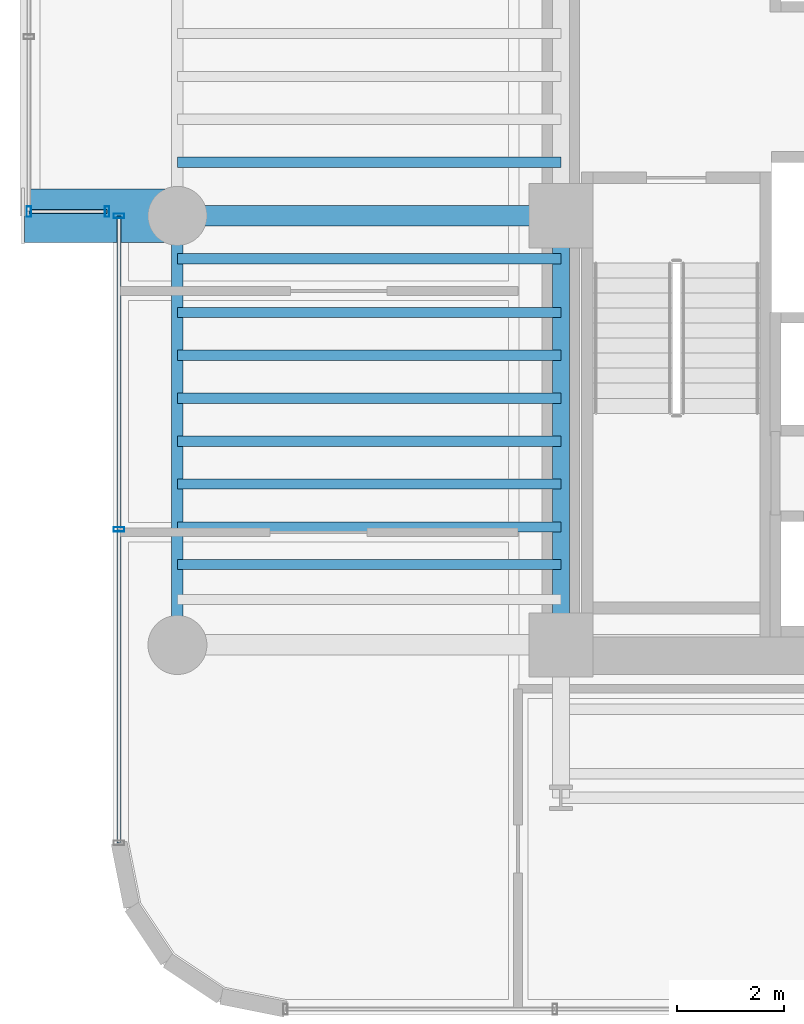
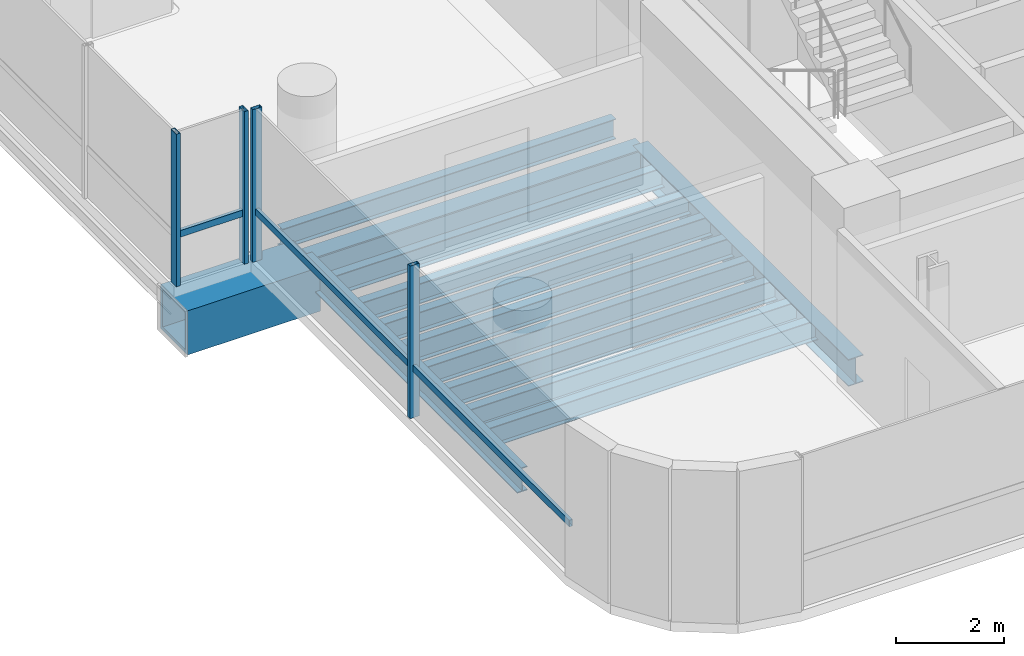
# One storey, part 4 of 34: 13 beams, 6 members, 2 elements without a shape of their own.
"""IFC4 building model written with IfcOpenShell, lengths in metres."""

from ifc_helpers import new_model, si_unit, direction, frame, origin, origin_2d, place, context, subcontext, project, spatial, hollow_rectangle, i_section, extrude, source, transform, mapped, material, material_profile, profile_set, type_object, element, aggregate, save


model = new_model("IFC4")

# Units and contexts
model_context = context("Model", 3, precision=1e-05, world=origin(), true_north=direction((0.0, 1.0)))
body_context = subcontext(model_context, "Body", "Model", "MODEL_VIEW")
ifc_project = project(units=[si_unit("LENGTHUNIT", "METRE"), si_unit("AREAUNIT", "SQUARE_METRE"), si_unit("VOLUMEUNIT", "CUBIC_METRE"), si_unit("PLANEANGLEUNIT", "RADIAN"), si_unit("MASSUNIT", "GRAM", prefix="KILO")], contexts=[model_context])

# Site, building, storey
site_placement = place(None, origin())
site = spatial("IfcSite", under=ifc_project, at=site_placement, CompositionType="ELEMENT")
building_placement = place(site_placement, origin())
building = spatial("IfcBuilding", under=site, at=building_placement, Name="Valdorenza Pilgrim Sanctuary Tower", CompositionType="ELEMENT")
storey_placement = place(building_placement, frame((0.0, 0.0, 146.39990234375)))
storey = spatial("IfcBuildingStorey", under=building, at=storey_placement, Name="L37", CompositionType="ELEMENT", Elevation=146.39990234375)

# Beams
ifc_material_1 = material(Name="Steel ASTM A992 Grade 50", Category="steel")
ifc_material_profile_1 = material_profile(ifc_material_1, i_section(OverallWidth=0.214111328125, OverallDepth=0.549072265625, WebThickness=0.0146484375, FlangeThickness=0.023681640625, at=origin_2d()), Name="W21X93")
ifc_profile_set_1 = profile_set([ifc_material_profile_1], Name="Steel ASTM A992 Grade 50")
beam_type_1 = type_object("IfcBeamType", Name="STR-BM-SPN-W21A", PredefinedType="SPANDREL", material=ifc_profile_set_1)
shared_shape_1 = source(origin(), body_context, "Body", "SweptSolid", [
    extrude(i_section(OverallWidth=0.214111328125, OverallDepth=0.549072265625, WebThickness=0.0146484375, FlangeThickness=0.023681640625, at=origin_2d()), origin(), (0.0, 0.0, 1.0), 8.0),
])
beam_1_placement = place(storey_placement, frame((-29.800048828125, -10.60009765625, -0.514404296875), z_axis=(0.0, 1.0, 0.0), x_axis=(-1.0, 0.0, 0.0)))
element("IfcBeam", 1, at=beam_1_placement, inside=storey, type_object=beam_type_1, Name="L37 Spandrel Beam WA-W-S1M0", PredefinedType="SPANDREL", context=body_context, shape_type="MappedRepresentation", body=[
    mapped(shared_shape_1, transform((0.0, 0.0, 0.0), x_axis=(1.0, 0.0, 0.0), y_axis=(0.0, 1.0, 0.0), z_axis=(0.0, 0.0, 1.0), scale=1.0)),
])
ifc_material_profile_2 = material_profile(ifc_material_1, i_section(OverallWidth=0.323974609375, OverallDepth=0.611083984375, WebThickness=0.0126953125, FlangeThickness=0.01904296875, at=origin_2d()), Name="W24X104")
ifc_profile_set_2 = profile_set([ifc_material_profile_2], Name="Steel ASTM A992 Grade 50")
beam_type_2 = type_object("IfcBeamType", Name="STR-BM-GRD-W24B", PredefinedType="BEAM", material=ifc_profile_set_2)
shared_shape_2 = source(origin(), body_context, "Body", "SweptSolid", [
    extrude(i_section(OverallWidth=0.323974609375, OverallDepth=0.611083984375, WebThickness=0.0126953125, FlangeThickness=0.01904296875, at=origin_2d()), origin(), (0.0, 0.0, 1.0), 8.0),
])
beam_2_placement = place(storey_placement, frame((-22.64990234375, -10.60009765625, -0.54541015625), z_axis=(0.0, 1.0, 0.0), x_axis=(-1.0, 0.0, 0.0)))
element("IfcBeam", 2, at=beam_2_placement, inside=storey, type_object=beam_type_2, Name="L37 Core Tie Girder CA-W-S1M0", PredefinedType="BEAM", context=body_context, shape_type="MappedRepresentation", body=[
    mapped(shared_shape_2, transform((0.0, 0.0, 0.0), x_axis=(1.0, 0.0, 0.0), y_axis=(0.0, 1.0, 0.0), z_axis=(0.0, 0.0, 1.0), scale=1.0)),
])
ifc_material_profile_3 = material_profile(ifc_material_1, i_section(OverallWidth=0.382080078125, OverallDepth=0.779052734375, WebThickness=0.01806640625, FlangeThickness=0.030029296875, at=origin_2d()), Name="W30X191")
ifc_profile_set_3 = profile_set([ifc_material_profile_3], Name="Steel ASTM A992 Grade 50")
beam_type_3 = type_object("IfcBeamType", Name="STR-BM-GRD-W30", PredefinedType="BEAM", material=ifc_profile_set_3)
shared_shape_3 = source(origin(), body_context, "Body", "SweptSolid", [
    extrude(i_section(OverallWidth=0.382080078125, OverallDepth=0.779052734375, WebThickness=0.01806640625, FlangeThickness=0.030029296875, at=origin_2d()), origin(), (0.0, 0.0, 1.0), 7.150146484375),
])
beam_3_placement = place(storey_placement, frame((-29.800048828125, -2.60009765625, -0.62939453125), z_axis=(1.0, 0.0, 0.0), x_axis=(0.0, 1.0, 0.0)))
element("IfcBeam", 3, at=beam_3_placement, inside=storey, type_object=beam_type_3, Name="L37 Floor Girder WA-XW-M0", PredefinedType="BEAM", context=body_context, shape_type="MappedRepresentation", body=[
    mapped(shared_shape_3, transform((0.0, 0.0, 0.0), x_axis=(1.0, 0.0, 0.0), y_axis=(0.0, 1.0, 0.0), z_axis=(0.0, 0.0, 1.0), scale=1.0)),
])
ifc_material_profile_4 = material_profile(ifc_material_1, i_section(OverallWidth=0.19091796875, OverallDepth=0.45703125, WebThickness=0.009033203125, FlangeThickness=0.014404296875, at=origin_2d()), Name="W18X50")
ifc_profile_set_4 = profile_set([ifc_material_profile_4], Name="Steel ASTM A992 Grade 50")
beam_type_4 = type_object("IfcBeamType", Name="STR-BM-JST-W18B", PredefinedType="JOIST", material=ifc_profile_set_4)
shared_shape_4 = source(origin(), body_context, "Body", "SweptSolid", [
    extrude(i_section(OverallWidth=0.19091796875, OverallDepth=0.45703125, WebThickness=0.009033203125, FlangeThickness=0.014404296875, at=origin_2d()), origin(), (0.0, 0.0, 1.0), 7.150146484375),
])
for number, where, z_axis, x_axis, name in (
    (4, (-29.800048828125, -9.10009765625, -0.468505859375), (1.0, 0.0, 0.0), (0.0, 1.0, 0.0), "L37 Composite Floor Joist JST-WA-2"),
    (5, (-29.800048828125, -8.39990234375, -0.468505859375), (1.0, 0.0, 0.0), (0.0, 1.0, 0.0), "L37 Composite Floor Joist JST-WA-3"),
    (6, (-29.800048828125, -7.60009765625, -0.468505859375), (1.0, 0.0, 0.0), (0.0, 1.0, 0.0), "L37 Composite Floor Joist JST-WA-4"),
    (7, (-29.800048828125, -6.800048828125, -0.468505859375), (1.0, 0.0, 0.0), (0.0, 1.0, 0.0), "L37 Composite Floor Joist JST-WA-5"),
    (8, (-29.800048828125, -6.0, -0.468505859375), (1.0, 0.0, 0.0), (0.0, 1.0, 0.0), "L37 Composite Floor Joist JST-WA-6"),
    (9, (-29.800048828125, -5.199951171875, -0.468505859375), (1.0, 0.0, 0.0), (0.0, 1.0, 0.0), "L37 Composite Floor Joist JST-WA-7"),
    (10, (-29.800048828125, -4.39990234375, -0.468505859375), (1.0, 0.0, 0.0), (0.0, 1.0, 0.0), "L37 Composite Floor Joist JST-WA-8"),
    (11, (-29.800048828125, -3.39990234375, -0.468505859375), (1.0, 0.0, 0.0), (0.0, 1.0, 0.0), "L37 Composite Floor Joist JST-WA-9"),
    (12, (-29.800048828125, -1.60009765625, -0.468505859375), (1.0, 0.0, 0.0), (0.0, 1.0, 0.0), "L37 Composite Floor Joist JST-WA-10"),
):
    element("IfcBeam", number, at=place(storey_placement, frame(where, z_axis=z_axis, x_axis=x_axis)), inside=storey, type_object=beam_type_4, Name=name, PredefinedType="JOIST", context=body_context, shape_type="MappedRepresentation", body=[
        mapped(shared_shape_4, transform((0.0, 0.0, 0.0), x_axis=(1.0, 0.0, 0.0), y_axis=(0.0, 1.0, 0.0), z_axis=(0.0, 0.0, 1.0), scale=1.0)),
    ])
ifc_material_2 = material(Name="Steel ASTM A572 Grade 42", Category="steel")
ifc_material_profile_5 = material_profile(ifc_material_2, hollow_rectangle(XDim=1.0, YDim=1.0, WallThickness=0.080078125, at=origin_2d()), Name="BOX 1000x1000x80")
ifc_profile_set_5 = profile_set([ifc_material_profile_5], Name="Steel ASTM A572 Grade 42")
beam_type_5 = type_object("IfcBeamType", Name="STR-BM-PROW-CANT", PredefinedType="BEAM", material=ifc_profile_set_5)
shared_shape_5 = source(origin(), body_context, "Body", "SweptSolid", [
    extrude(hollow_rectangle(XDim=1.0, YDim=1.0, WallThickness=0.080078125, at=origin_2d()), origin(), (0.0, 0.0, 1.0), 2.849853515625),
])
beam_4_placement = place(storey_placement, frame((-29.800048828125, -2.60009765625, -0.739990234375), z_axis=(-1.0, 0.0, 0.0), x_axis=(0.0, -1.0, 0.0)))
element("IfcBeam", 13, at=beam_4_placement, inside=storey, type_object=beam_type_5, Name="L37 Glass Box Cantilever Beam BOX-WA-L37-CT-S", PredefinedType="BEAM", context=body_context, shape_type="MappedRepresentation", body=[
    mapped(shared_shape_5, transform((0.0, 0.0, 0.0), x_axis=(1.0, 0.0, 0.0), y_axis=(0.0, 1.0, 0.0), z_axis=(0.0, 0.0, 1.0), scale=1.0)),
])

# Curtain wall, member
ifc_material_3 = material(Name="Curtain-wall IGU glazing", Category="glass")
curtain_wall_type = type_object("IfcCurtainWallType", Name="CW-SYS-02", PredefinedType="NOTDEFINED", material=ifc_material_3)
curtain_wall_1_placement = place(storey_placement, origin())
curtain_wall_1 = element("IfcCurtainWall", 14, at=curtain_wall_1_placement, inside=storey, type_object=curtain_wall_type, Name="L37 Curtain Wall CW-L37-BOX-WA-L37-S", PredefinedType="NOTDEFINED")
ifc_material_4 = material(Name="Anodised aluminium AW-6060", Category="aluminium")
ifc_material_profile_6 = material_profile(ifc_material_4, hollow_rectangle(XDim=0.074951171875, YDim=0.14990234375, WallThickness=0.00390625, at=origin_2d()), Name="ALU-T 150x75x4")
ifc_profile_set_6 = profile_set([ifc_material_profile_6], Name="Anodised aluminium AW-6060")
member_type_1 = type_object("IfcMemberType", Name="CW-TRN-02", PredefinedType="USERDEFINED", material=ifc_profile_set_6)
shared_shape_6 = source(origin(), body_context, "Body", "SweptSolid", [
    extrude(hollow_rectangle(XDim=0.074951171875, YDim=0.14990234375, WallThickness=0.00390625, at=origin_2d()), origin(), (0.0, 0.0, 1.0), 1.4599609375),
])
member_1_placement = place(storey_placement, frame((-31.110107421875, -2.52001953125, 1.1201171875), z_axis=(-1.0, 0.0, 0.0), x_axis=(0.0, -1.0, 0.0)))
member_1 = element("IfcMember", 15, at=member_1_placement, type_object=member_type_1, Name="CW-L37-BOX-WA-L37-S Transom 1", ObjectType="TRANSOM", PredefinedType="USERDEFINED", context=body_context, shape_type="MappedRepresentation", body=[
    mapped(shared_shape_6, transform((0.0, 0.0, 0.0), x_axis=(1.0, 0.0, 0.0), y_axis=(0.0, 1.0, 0.0), z_axis=(0.0, 0.0, 1.0), scale=1.0)),
])

# Curtain wall, members
curtain_wall_2_placement = place(storey_placement, origin())
curtain_wall_2 = element("IfcCurtainWall", 16, at=curtain_wall_2_placement, inside=storey, type_object=curtain_wall_type, Name="L37 Curtain Wall CW-L37-1-1S1", PredefinedType="NOTDEFINED")
ifc_material_profile_7 = material_profile(ifc_material_4, hollow_rectangle(XDim=0.0849609375, YDim=0.199951171875, WallThickness=0.0048828125, at=origin_2d()), Name="ALU-M 200x85x5")
ifc_profile_set_7 = profile_set([ifc_material_profile_7], Name="Anodised aluminium AW-6060")
member_type_2 = type_object("IfcMemberType", Name="CW-MUL-02", PredefinedType="MULLION", material=ifc_profile_set_7)
shared_shape_7 = source(origin(), body_context, "Body", "SweptSolid", [
    extrude(hollow_rectangle(XDim=0.0849609375, YDim=0.199951171875, WallThickness=0.0048828125, at=origin_2d()), origin(), (0.0, 0.0, 1.0), 3.460205078125),
])
member_2_placement = place(storey_placement, frame((-30.889892578125, -8.444580078125, 0.0), z_axis=(0.0, 0.0, 1.0), x_axis=(0.0, 1.0, 0.0)))
member_2 = element("IfcMember", 17, at=member_2_placement, type_object=member_type_2, Name="CW-L37-1-1S1 Mullion 2", PredefinedType="MULLION", context=body_context, shape_type="MappedRepresentation", body=[
    mapped(shared_shape_7, transform((0.0, 0.0, 0.0), x_axis=(1.0, 0.0, 0.0), y_axis=(0.0, 1.0, 0.0), z_axis=(0.0, 0.0, 1.0), scale=1.0)),
])
member_3_placement = place(storey_placement, frame((-30.889892578125, -2.60009765625, 0.0), z_axis=(0.0, 0.0, 1.0), x_axis=(0.0, 1.0, 0.0)))
member_3 = element("IfcMember", 18, at=member_3_placement, type_object=member_type_2, Name="CW-L37-1-1S1 Mullion 3", PredefinedType="MULLION", context=body_context, shape_type="MappedRepresentation", body=[
    mapped(shared_shape_7, transform((0.0, 0.0, 0.0), x_axis=(1.0, 0.0, 0.0), y_axis=(0.0, 1.0, 0.0), z_axis=(0.0, 0.0, 1.0), scale=1.0)),
])

# Member
member_4_placement = place(storey_placement, frame((-31.110107421875, -2.52001953125, 0.0), z_axis=(0.0, 0.0, 1.0), x_axis=(-1.0, 0.0, 0.0)))
member_4 = element("IfcMember", 19, at=member_4_placement, type_object=member_type_2, Name="CW-L37-BOX-WA-L37-S Mullion 1", PredefinedType="MULLION", context=body_context, shape_type="MappedRepresentation", body=[
    mapped(shared_shape_7, transform((0.0, 0.0, 0.0), x_axis=(1.0, 0.0, 0.0), y_axis=(0.0, 1.0, 0.0), z_axis=(0.0, 0.0, 1.0), scale=1.0)),
])

member_5_placement = place(storey_placement, frame((-32.570068359375, -2.52001953125, 0.0), z_axis=(0.0, 0.0, 1.0), x_axis=(-1.0, 0.0, 0.0)))
member_5 = element("IfcMember", 20, at=member_5_placement, type_object=member_type_2, Name="CW-L37-BOX-WA-L37-S Mullion 2", PredefinedType="MULLION", context=body_context, shape_type="MappedRepresentation", body=[
    mapped(shared_shape_7, transform((0.0, 0.0, 0.0), x_axis=(1.0, 0.0, 0.0), y_axis=(0.0, 1.0, 0.0), z_axis=(0.0, 0.0, 1.0), scale=1.0)),
])

aggregate(curtain_wall_1, [member_4, member_5, member_1])

shared_shape_8 = source(origin(), body_context, "Body", "SweptSolid", [
    extrude(hollow_rectangle(XDim=0.074951171875, YDim=0.14990234375, WallThickness=0.00390625, at=origin_2d()), origin(), (0.0, 0.0, 1.0), 11.689208984375),
])
member_6_placement = place(storey_placement, frame((-30.889892578125, -14.289306640625, 1.1201171875), z_axis=(0.0, 1.0, 0.0), x_axis=(-1.0, 0.0, 0.0)))
member_6 = element("IfcMember", 21, at=member_6_placement, type_object=member_type_1, Name="CW-L37-1-1S1 Transom 1", ObjectType="TRANSOM", PredefinedType="USERDEFINED", context=body_context, shape_type="MappedRepresentation", body=[
    mapped(shared_shape_8, transform((0.0, 0.0, 0.0), x_axis=(1.0, 0.0, 0.0), y_axis=(0.0, 1.0, 0.0), z_axis=(0.0, 0.0, 1.0), scale=1.0)),
])

aggregate(curtain_wall_2, [member_2, member_3, member_6])

save(model, "model.ifc")
